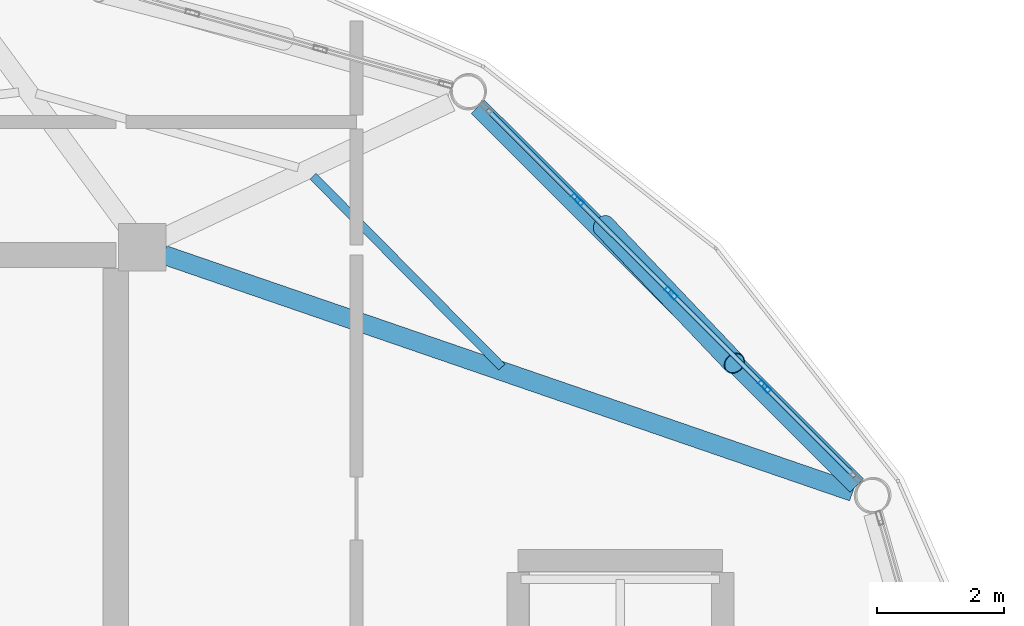
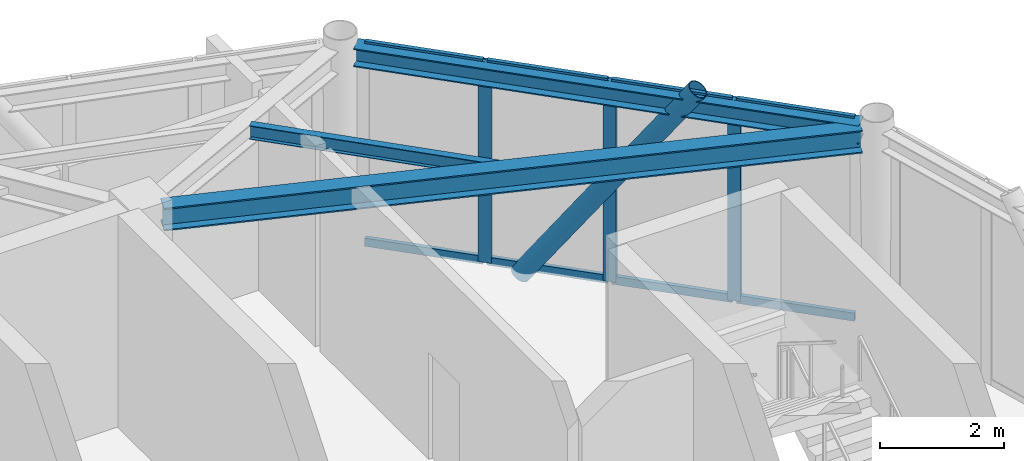
# One storey, part 12 of 21: 12 members, 3 beams, 1 element without a shape of its own.
"""IFC4 building model written with IfcOpenShell, lengths in metres."""

from ifc_helpers import new_model, si_unit, direction, frame, origin, origin_2d, place, context, subcontext, project, spatial, hollow_rectangle, hollow_circle, i_section, extrude, material, layer, layer_set, material_profile, profile_set, type_object, element, aggregate, save


model = new_model("IFC4")

# Units and contexts
model_context = context("Model", 3, precision=1e-05, world=origin(), true_north=direction((0.0, 1.0)))
body_context = subcontext(model_context, "Body", "Model", "MODEL_VIEW")
ifc_project = project(units=[si_unit("LENGTHUNIT", "METRE"), si_unit("AREAUNIT", "SQUARE_METRE"), si_unit("VOLUMEUNIT", "CUBIC_METRE"), si_unit("PLANEANGLEUNIT", "RADIAN"), si_unit("MASSUNIT", "GRAM", prefix="KILO")], contexts=[model_context])

# Site, building, storey
site_placement = place(None, origin())
site = spatial("IfcSite", under=ifc_project, at=site_placement, CompositionType="ELEMENT")
building_placement = place(site_placement, origin())
building = spatial("IfcBuilding", under=site, at=building_placement, Name="Varnakorn Sky Granary", CompositionType="ELEMENT")
storey_placement = place(building_placement, frame((0.0, 0.0, 298.199951171875)))
storey = spatial("IfcBuildingStorey", under=building, at=storey_placement, Name="L76", CompositionType="ELEMENT", Elevation=298.199951171875)

# Beams
ifc_material_1 = material(Name="Steel S355JR", Category="steel")
ifc_material_profile_1 = material_profile(ifc_material_1, i_section(OverallWidth=0.300048828125, OverallDepth=0.449951171875, WebThickness=0.013916015625, FlangeThickness=0.02587890625, at=origin_2d()), Name="HE 450 B")
ifc_profile_set_1 = profile_set([ifc_material_profile_1], Name="Steel S355JR")
beam_type_1 = type_object("IfcBeamType", Name="BM-RAD-Z5", PredefinedType="BEAM", material=ifc_profile_set_1)
beam_1_placement = place(storey_placement, frame((8.755615234375, 12.50439453125, 3.735107421875), z_axis=(0.945584803836, -0.325375750102, 0.0), x_axis=(0.325375750102, 0.945584803836, 0.0)))
element("IfcBeam", 1, at=beam_1_placement, inside=storey, type_object=beam_type_1, Name="Radial Floor Girder RG02 L76", PredefinedType="BEAM", context=body_context, shape_type="SweptSolid", body=[
    extrude(i_section(OverallWidth=0.300048828125, OverallDepth=0.449951171875, WebThickness=0.013916015625, FlangeThickness=0.02587890625, at=origin_2d()), origin(), (0.0, 0.0, 1.0), 11.502685546875),
])
ifc_material_profile_2 = material_profile(ifc_material_1, i_section(OverallWidth=0.135009765625, OverallDepth=0.27001953125, WebThickness=0.006591796875, FlangeThickness=0.01025390625, at=origin_2d()), Name="IPE 270")
ifc_profile_set_2 = profile_set([ifc_material_profile_2], Name="Steel S355JR")
beam_type_2 = type_object("IfcBeamType", Name="BM-SEC-Z5", PredefinedType="BEAM", material=ifc_profile_set_2)
beam_2_placement = place(storey_placement, frame((14.095458984375, 10.732421875, 3.824951171875), z_axis=(-0.703670008579, 0.710526930543, 0.0), x_axis=(-0.710526930543, -0.703670008579, 0.0)))
element("IfcBeam", 2, at=beam_2_placement, inside=storey, type_object=beam_type_2, Name="Secondary Floor Chord Beam MSB02 L76", PredefinedType="BEAM", context=body_context, shape_type="SweptSolid", body=[
    extrude(i_section(OverallWidth=0.135009765625, OverallDepth=0.27001953125, WebThickness=0.006591796875, FlangeThickness=0.01025390625, at=origin_2d()), origin(), (0.0, 0.0, 1.0), 4.237060546875),
])
ifc_material_profile_3 = material_profile(ifc_material_1, i_section(OverallWidth=0.300048828125, OverallDepth=0.360107421875, WebThickness=0.012451171875, FlangeThickness=0.0224609375, at=origin_2d()), Name="HE 360 B")
ifc_profile_set_3 = profile_set([ifc_material_profile_3], Name="Steel S355JR")
beam_type_3 = type_object("IfcBeamType", Name="BM-SPD-Z5", PredefinedType="SPANDREL", material=ifc_profile_set_3)
beam_3_placement = place(storey_placement, frame((19.6953125, 8.862548828125, 3.780029296875), z_axis=(-0.707251156456, 0.706962376433, 0.0), x_axis=(-0.706962376433, -0.707251156456, 0.0)))
element("IfcBeam", 3, at=beam_3_placement, inside=storey, type_object=beam_type_3, Name="Perimeter Spandrel Ring Beam RB02 L76", PredefinedType="SPANDREL", context=body_context, shape_type="SweptSolid", body=[
    extrude(i_section(OverallWidth=0.300048828125, OverallDepth=0.360107421875, WebThickness=0.012451171875, FlangeThickness=0.0224609375, at=origin_2d()), origin(), (0.0, 0.0, 1.0), 8.4541015625),
])

# Curtain wall, members
ifc_material_2 = material(Name="Anodised Bronze Aluminium Alloy 6063-T6", Category="aluminium")
ifc_layer = layer(ifc_material_2, 0.22998046875, Name="Anodised Bronze Aluminium Alloy 6063-T6")
ifc_layer_set = layer_set([ifc_layer], Name="Anodised Bronze Aluminium Alloy 6063-T6")
curtain_wall_type = type_object("IfcCurtainWallType", Name="CW-LNT-1", PredefinedType="USERDEFINED", material=ifc_layer_set)
curtain_wall_placement = place(storey_placement, origin())
curtain_wall = element("IfcCurtainWall", 4, at=curtain_wall_placement, inside=storey, type_object=curtain_wall_type, Name="Unitised Curtain Wall CW7 CW-L76-B02", ObjectType="CURTAIN WALL", PredefinedType="USERDEFINED")
ifc_material_profile_4 = material_profile(ifc_material_2, hollow_rectangle(XDim=0.074951171875, YDim=0.219970703125, WallThickness=0.00390625, at=origin_2d()), Name="ALU MULL 75x220")
ifc_profile_set_4 = profile_set([ifc_material_profile_4], Name="Anodised Bronze Aluminium Alloy 6063-T6")
member_type_1 = type_object("IfcMemberType", Name="CW-LNT-1-MULL", PredefinedType="MULLION", material=ifc_profile_set_4)
member_1_placement = place(storey_placement, frame((15.288330078125, 13.373779296875, 0.0), z_axis=(0.0, 0.0, 1.0), x_axis=(0.706663262546, 0.707550021813, 0.0)))
member_1 = element("IfcMember", 5, at=member_1_placement, type_object=member_type_1, Name="CW7 mullion 2", PredefinedType="MULLION", context=body_context, shape_type="SweptSolid", body=[
    extrude(hollow_rectangle(XDim=0.074951171875, YDim=0.219970703125, WallThickness=0.00390625, at=origin_2d()), origin(), (0.0, 0.0, 1.0), 3.9599609375),
])
member_2_placement = place(storey_placement, frame((16.764404296875, 11.8994140625, 0.0), z_axis=(0.0, 0.0, 1.0), x_axis=(0.706663262546, 0.707550021813, 0.0)))
member_2 = element("IfcMember", 6, at=member_2_placement, type_object=member_type_1, Name="CW7 mullion 3", PredefinedType="MULLION", context=body_context, shape_type="SweptSolid", body=[
    extrude(hollow_rectangle(XDim=0.074951171875, YDim=0.219970703125, WallThickness=0.00390625, at=origin_2d()), origin(), (0.0, 0.0, 1.0), 3.9599609375),
])
member_3_placement = place(storey_placement, frame((18.240478515625, 10.42529296875, 0.0), z_axis=(0.0, 0.0, 1.0), x_axis=(0.706663262546, 0.707550021813, 0.0)))
member_3 = element("IfcMember", 7, at=member_3_placement, type_object=member_type_1, Name="CW7 mullion 4", PredefinedType="MULLION", context=body_context, shape_type="SweptSolid", body=[
    extrude(hollow_rectangle(XDim=0.074951171875, YDim=0.219970703125, WallThickness=0.00390625, at=origin_2d()), origin(), (0.0, 0.0, 1.0), 3.9599609375),
])
ifc_material_profile_5 = material_profile(ifc_material_2, hollow_rectangle(XDim=0.074951171875, YDim=0.159912109375, WallThickness=0.00390625, at=origin_2d()), Name="ALU TRAN 75x160")
ifc_profile_set_5 = profile_set([ifc_material_profile_5], Name="Anodised Bronze Aluminium Alloy 6063-T6")
member_type_2 = type_object("IfcMemberType", Name="CW-LNT-1-TRAN", PredefinedType="USERDEFINED", material=ifc_profile_set_5)
member_4_placement = place(storey_placement, frame((13.865234375, 14.794921875, 0.03759765625), z_axis=(0.707539583712, -0.706673713592, 0.0), x_axis=(0.706673713592, 0.707539583712, 0.0)))
member_4 = element("IfcMember", 8, at=member_4_placement, type_object=member_type_2, Name="CW7 transom 1.1", ObjectType="TRANSOM", PredefinedType="USERDEFINED", context=body_context, shape_type="SweptSolid", body=[
    extrude(hollow_rectangle(XDim=0.074951171875, YDim=0.159912109375, WallThickness=0.00390625, at=origin_2d()), origin(), (0.0, 0.0, 1.0), 1.9736328125),
])
member_5_placement = place(storey_placement, frame((13.865234375, 14.794921875, 3.922607421875), z_axis=(0.707539583712, -0.706673713592, 0.0), x_axis=(0.706673713592, 0.707539583712, 0.0)))
member_5 = element("IfcMember", 9, at=member_5_placement, type_object=member_type_2, Name="CW7 transom 1.2", ObjectType="TRANSOM", PredefinedType="USERDEFINED", context=body_context, shape_type="SweptSolid", body=[
    extrude(hollow_rectangle(XDim=0.074951171875, YDim=0.159912109375, WallThickness=0.00390625, at=origin_2d()), origin(), (0.0, 0.0, 1.0), 1.9736328125),
])
member_6_placement = place(storey_placement, frame((15.31494140625, 13.34716796875, 0.03759765625), z_axis=(0.707592181242, -0.706621047694, 0.0), x_axis=(0.706621047694, 0.707592181242, 0.0)))
member_6 = element("IfcMember", 10, at=member_6_placement, type_object=member_type_2, Name="CW7 transom 2.1", ObjectType="TRANSOM", PredefinedType="USERDEFINED", context=body_context, shape_type="SweptSolid", body=[
    extrude(hollow_rectangle(XDim=0.074951171875, YDim=0.159912109375, WallThickness=0.00390625, at=origin_2d()), origin(), (0.0, 0.0, 1.0), 2.01123046875),
])
member_7_placement = place(storey_placement, frame((15.31494140625, 13.34716796875, 3.922607421875), z_axis=(0.707592181242, -0.706621047694, 0.0), x_axis=(0.706621047694, 0.707592181242, 0.0)))
member_7 = element("IfcMember", 11, at=member_7_placement, type_object=member_type_2, Name="CW7 transom 2.2", ObjectType="TRANSOM", PredefinedType="USERDEFINED", context=body_context, shape_type="SweptSolid", body=[
    extrude(hollow_rectangle(XDim=0.074951171875, YDim=0.159912109375, WallThickness=0.00390625, at=origin_2d()), origin(), (0.0, 0.0, 1.0), 2.01123046875),
])
member_8_placement = place(storey_placement, frame((16.791015625, 11.873046875, 0.03759765625), z_axis=(0.707531488049, -0.706681819081, 0.0), x_axis=(0.706681819081, 0.707531488049, 0.0)))
member_8 = element("IfcMember", 12, at=member_8_placement, type_object=member_type_2, Name="CW7 transom 3.1", ObjectType="TRANSOM", PredefinedType="USERDEFINED", context=body_context, shape_type="SweptSolid", body=[
    extrude(hollow_rectangle(XDim=0.074951171875, YDim=0.159912109375, WallThickness=0.00390625, at=origin_2d()), origin(), (0.0, 0.0, 1.0), 2.011474609375),
])
member_9_placement = place(storey_placement, frame((16.791015625, 11.873046875, 3.922607421875), z_axis=(0.707531488049, -0.706681819081, 0.0), x_axis=(0.706681819081, 0.707531488049, 0.0)))
member_9 = element("IfcMember", 13, at=member_9_placement, type_object=member_type_2, Name="CW7 transom 3.2", ObjectType="TRANSOM", PredefinedType="USERDEFINED", context=body_context, shape_type="SweptSolid", body=[
    extrude(hollow_rectangle(XDim=0.074951171875, YDim=0.159912109375, WallThickness=0.00390625, at=origin_2d()), origin(), (0.0, 0.0, 1.0), 2.011474609375),
])
member_10_placement = place(storey_placement, frame((18.26708984375, 10.398681640625, 0.03759765625), z_axis=(0.707539583712, -0.706673713592, 0.0), x_axis=(0.706673713592, 0.707539583712, 0.0)))
member_10 = element("IfcMember", 14, at=member_10_placement, type_object=member_type_2, Name="CW7 transom 4.1", ObjectType="TRANSOM", PredefinedType="USERDEFINED", context=body_context, shape_type="SweptSolid", body=[
    extrude(hollow_rectangle(XDim=0.074951171875, YDim=0.159912109375, WallThickness=0.00390625, at=origin_2d()), origin(), (0.0, 0.0, 1.0), 1.9736328125),
])
member_11_placement = place(storey_placement, frame((18.26708984375, 10.398681640625, 3.922607421875), z_axis=(0.707539583712, -0.706673713592, 0.0), x_axis=(0.706673713592, 0.707539583712, 0.0)))
member_11 = element("IfcMember", 15, at=member_11_placement, type_object=member_type_2, Name="CW7 transom 4.2", ObjectType="TRANSOM", PredefinedType="USERDEFINED", context=body_context, shape_type="SweptSolid", body=[
    extrude(hollow_rectangle(XDim=0.074951171875, YDim=0.159912109375, WallThickness=0.00390625, at=origin_2d()), origin(), (0.0, 0.0, 1.0), 1.9736328125),
])
aggregate(curtain_wall, [member_1, member_2, member_3, member_4, member_5, member_6, member_7, member_8, member_9, member_10, member_11])

# Member
ifc_material_3 = material(Name="Steel S460M", Category="steel")
ifc_material_profile_6 = material_profile(ifc_material_3, hollow_circle(Radius=0.177734375, WallThickness=0.01416015625, at=origin_2d()), Name="CHS 355.6x14")
ifc_profile_set_6 = profile_set([ifc_material_profile_6], Name="Steel S460M")
member_type_3 = type_object("IfcMemberType", Name="MB-DIAG-T5", PredefinedType="BRACE", material=ifc_profile_set_6)
member_12_placement = place(storey_placement, frame((15.7001953125, 12.96240234375, -0.1298828125), z_axis=(0.398942624528, -0.419323799291, 0.815482883746), x_axis=(0.724494517572, 0.689280562622, 0.0)))
element("IfcMember", 16, at=member_12_placement, inside=storey, type_object=member_type_3, Name="Perimeter CHS Diagrid Brace DG02 L76", PredefinedType="BRACE", context=body_context, shape_type="SweptSolid", body=[
    extrude(hollow_circle(Radius=0.177734375, WallThickness=0.01416015625, at=origin_2d()), origin(), (0.0, 0.0, 1.0), 5.1748046875),
])

save(model, "model.ifc")
